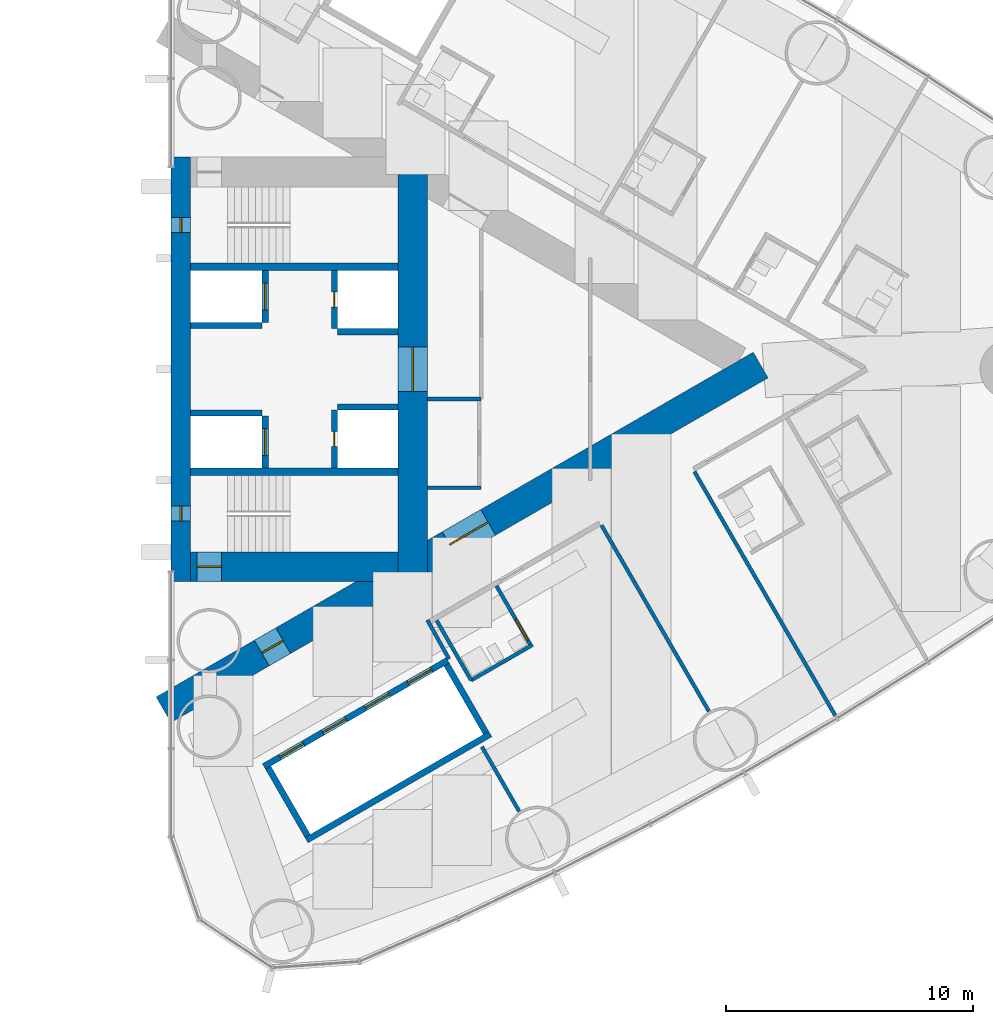
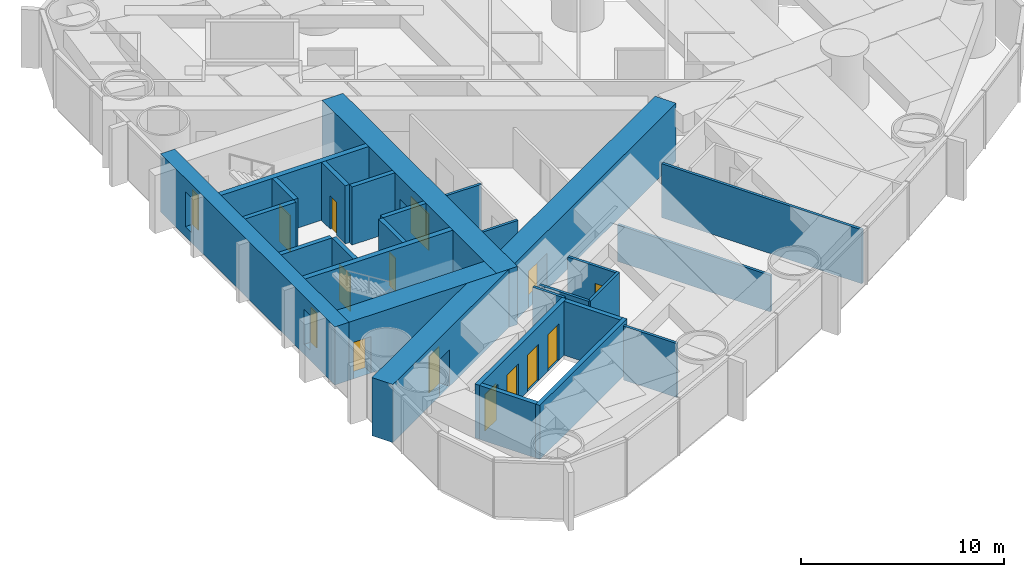
# One storey, part 13 of 18: 27 walls, 13 doors, 2 windows, 15 openings.
"""IFC4 building model written with IfcOpenShell, lengths in metres."""

import ifcopenshell
import ifcopenshell.guid

model = None  # the IFC model being written
_history = None  # IfcOwnerHistory: only IFC2X3 demands one
_inside = {}  # id of a spatial element -> (the spatial element, [elements in it])
_under = {}  # id of a project, library or spatial element -> (it, [spatial elements below it])
_declared = {}  # id of a project -> (the project, [libraries it declares])
_typed = {}  # id of a type object -> (the type object, [elements of that type])
_made_of = {}  # id of a material, layer set ... -> (it, [elements and type objects made of it])


def new_model(schema):
    """Start an empty IFC model of exactly this schema.

    Asked for "IFC4X3", IfcOpenShell would pick the latest addendum, in which some entities
    have other attributes; the version numbers below select the first issue.
    IFC2X3 requires an IfcOwnerHistory on every rooted entity: one is made here for all.
    """
    global model, _history
    if schema == "IFC4X3":
        model = ifcopenshell.file(schema_version=(4, 3, 0, 0))
    else:
        model = ifcopenshell.file(schema=schema)
    _inside.clear()
    _under.clear()
    _declared.clear()
    _typed.clear()
    _made_of.clear()
    _history = None
    if model.schema == "IFC2X3":
        org = make("IfcOrganization", Name="unknown")
        user = make(
            "IfcPersonAndOrganization",
            ThePerson=make("IfcPerson", FamilyName="unknown"),
            TheOrganization=org,
        )
        app = make(
            "IfcApplication",
            ApplicationDeveloper=org,
            Version="unknown",
            ApplicationFullName="unknown",
            ApplicationIdentifier="unknown",
        )
        _history = make(
            "IfcOwnerHistory",
            OwningUser=user,
            OwningApplication=app,
            ChangeAction="ADDED",
            CreationDate=0,
        )
    return model


def make(cls, **values):
    """One entity of the class cls with the attributes given. An attribute that is None is left unset."""
    return model.create_entity(
        cls, **{name: value for name, value in values.items() if value is not None}
    )


def rooted(cls, **values):
    """An entity with a GlobalId (a new one), such as an element, a storey or a relation."""
    return make(cls, GlobalId=ifcopenshell.guid.new(), OwnerHistory=_history, **values)


def si_unit(unit_type, name, prefix=None):
    """IfcSIUnit, for example si_unit("LENGTHUNIT", "METRE", prefix="MILLI")."""
    return make("IfcSIUnit", UnitType=unit_type, Prefix=prefix, Name=name)


def assignment(units):
    """IfcUnitAssignment: the units of a project."""
    return None if units is None else make("IfcUnitAssignment", Units=units)


def point(xyz):
    """IfcCartesianPoint."""
    return None if xyz is None else make("IfcCartesianPoint", Coordinates=xyz)


def direction(xyz):
    """IfcDirection."""
    return None if xyz is None else make("IfcDirection", DirectionRatios=xyz)


def frame(location, z_axis=None, x_axis=None):
    """IfcAxis2Placement3D, a coordinate frame: its origin and axes. An axis left out is left unset."""
    return make(
        "IfcAxis2Placement3D",
        Location=point(location),
        Axis=direction(z_axis),
        RefDirection=direction(x_axis),
    )


def frame_2d(location, x_axis=None):
    """IfcAxis2Placement2D, a coordinate frame in the plane: its origin and x axis."""
    return make(
        "IfcAxis2Placement2D", Location=point(location), RefDirection=direction(x_axis)
    )


def origin():
    """The frame at (0, 0, 0) with its axes left unset."""
    return frame((0.0, 0.0, 0.0))


def place(relative_to, where):
    """IfcLocalPlacement: puts the frame where relative to a parent placement (None: the world)."""
    return make(
        "IfcLocalPlacement", PlacementRelTo=relative_to, RelativePlacement=where
    )


def context(
    kind, dimensions, precision=None, world=None, true_north=None, identifier=None
):
    """IfcGeometricRepresentationContext, for example the 3D "Model" context."""
    return make(
        "IfcGeometricRepresentationContext",
        ContextIdentifier=identifier,
        ContextType=kind,
        CoordinateSpaceDimension=dimensions,
        Precision=precision,
        WorldCoordinateSystem=world,
        TrueNorth=true_north,
    )


def subcontext(parent, identifier, kind, view, scale=None):
    """IfcGeometricRepresentationSubContext, for example "Body" below "Model"."""
    return make(
        "IfcGeometricRepresentationSubContext",
        ContextIdentifier=identifier,
        ContextType=kind,
        ParentContext=parent,
        TargetScale=scale,
        TargetView=view,
    )


def project(units=None, contexts=None):
    """IfcProject with its units and contexts."""
    return rooted(
        "IfcProject",
        Name="project",
        RepresentationContexts=contexts,
        UnitsInContext=assignment(units),
    )


def spatial(cls, under=None, at=None, **own):
    """A site, building, storey or space (cls), placed at a placement, below another one or the project."""
    s = rooted(cls, ObjectPlacement=at, **own)
    if under is not None:
        _under.setdefault(under.id(), (under, []))[1].append(s)
    return s


def profile(cls, at=None, kind="AREA", **sizes):
    """A parametric profile (cls). Its sizes go by their IFC names, for example OverallWidth=200.0."""
    return make(cls, ProfileType=kind, Position=at, **sizes)


def rectangle(**sizes):
    """IfcRectangleProfileDef."""
    return profile("IfcRectangleProfileDef", **sizes)


def extrude(swept, where, along, depth):
    """IfcExtrudedAreaSolid: the profile swept, set in the frame where, extruded along a direction by depth."""
    return make(
        "IfcExtrudedAreaSolid",
        SweptArea=swept,
        Position=where,
        ExtrudedDirection=direction(along),
        Depth=depth,
    )


def shape(context_of_items, identifier, shape_type, items):
    """IfcShapeRepresentation: the items that make up one representation, for example the "Body"."""
    return make(
        "IfcShapeRepresentation",
        ContextOfItems=context_of_items,
        RepresentationIdentifier=identifier,
        RepresentationType=shape_type,
        Items=items,
    )


def material(Name=None, Category=None):
    """IfcMaterial."""
    return make("IfcMaterial", Name=Name, Category=Category)


def layer(
    of_material, thickness, ventilated=None, Name=None, Category=None, Priority=None
):
    """IfcMaterialLayer: one layer of a wall or slab, of a material (None: an air gap)."""
    return make(
        "IfcMaterialLayer",
        Material=of_material,
        LayerThickness=thickness,
        IsVentilated=ventilated,
        Name=Name,
        Category=Category,
        Priority=Priority,
    )


def layer_set(layers, Name=None):
    """IfcMaterialLayerSet."""
    return make("IfcMaterialLayerSet", MaterialLayers=layers, LayerSetName=Name)


def made_of(thing, what):
    """Note that an element or type object is made of a material, layer set ...; save() writes the relation."""
    if what is not None:
        _made_of.setdefault(what.id(), (what, []))[1].append(thing)
    return thing


def type_object(cls, material=None, **own):
    """A type object (cls), such as IfcWallType, which elements share."""
    return made_of(rooted(cls, **own), material)


def element(
    cls,
    number,
    at=None,
    inside=None,
    cuts=None,
    type_object=None,
    material=None,
    context=None,
    identifier="Body",
    shape_type=None,
    held_by="IfcProductDefinitionShape",
    body=None,
    shapes=None,
    **own,
):
    """One element of the class cls, such as IfcWall. Its Tag is "e" and its number.

    at: its placement. inside: the storey or other place that contains it. cuts: it is an
    opening in that element (IfcRelVoidsElement). A single representation is given by context,
    identifier, shape_type and body (its items); several are given by shapes. held_by: the class
    of the entity that holds the representations. save() writes the other relations.
    """
    e = rooted(cls, Tag="e%d" % number, ObjectPlacement=at, **own)
    if body is not None:
        shapes = [shape(context, identifier, shape_type, body)]
    if shapes is not None:
        e.Representation = make(held_by, Representations=shapes)
    if inside is not None:
        _inside.setdefault(inside.id(), (inside, []))[1].append(e)
    if cuts is not None:
        rooted(
            "IfcRelVoidsElement", RelatingBuildingElement=cuts, RelatedOpeningElement=e
        )
    if type_object is not None:
        _typed.setdefault(type_object.id(), (type_object, []))[1].append(e)
    return made_of(e, material)


def fill(opening, filler):
    """IfcRelFillsElement: the door or window that sits in an opening."""
    return rooted(
        "IfcRelFillsElement",
        RelatingOpeningElement=opening,
        RelatedBuildingElement=filler,
    )


def aggregate(whole, parts):
    """IfcRelAggregates: a whole, such as a stair, and the parts it consists of."""
    return rooted("IfcRelAggregates", RelatingObject=whole, RelatedObjects=parts)


def save(model, path):
    """Write the relations noted so far, then the file.

    IfcRelAggregates (storeys below a building ...), IfcRelContainedInSpatialStructure (elements
    in a storey), IfcRelDefinesByType, IfcRelAssociatesMaterial and IfcRelDeclares: one each for
    every whole, place, type object, material and project.
    """
    for whole, parts in _under.values():
        aggregate(whole, parts)
    for where, things in _inside.values():
        rooted(
            "IfcRelContainedInSpatialStructure",
            RelatedElements=things,
            RelatingStructure=where,
        )
    for kind, things in _typed.values():
        rooted("IfcRelDefinesByType", RelatedObjects=things, RelatingType=kind)
    for what, things in _made_of.values():
        rooted("IfcRelAssociatesMaterial", RelatedObjects=things, RelatingMaterial=what)
    for by, libraries in _declared.values():
        rooted("IfcRelDeclares", RelatingContext=by, RelatedDefinitions=libraries)
    model.write(path)


model = new_model("IFC4")

# Units and contexts
model_context = context("Model", 3, precision=1e-05, world=origin(), true_north=direction((0.0, 1.0)))
body_context = subcontext(model_context, "Body", "Model", "MODEL_VIEW")
ifc_project = project(units=[si_unit("LENGTHUNIT", "METRE"), si_unit("AREAUNIT", "SQUARE_METRE"), si_unit("VOLUMEUNIT", "CUBIC_METRE"), si_unit("PLANEANGLEUNIT", "RADIAN"), si_unit("MASSUNIT", "GRAM", prefix="KILO")], contexts=[model_context])

# Site, building, storey
site_placement = place(None, origin())
site = spatial("IfcSite", under=ifc_project, at=site_placement, CompositionType="ELEMENT")
building_placement = place(site_placement, origin())
building = spatial("IfcBuilding", under=site, at=building_placement, Name="Lancet Gate Hotel", CompositionType="ELEMENT")
storey_placement = place(building_placement, frame((0.0, 0.0, 101.10009765625)))
storey = spatial("IfcBuildingStorey", under=building, at=storey_placement, Name="L26", CompositionType="ELEMENT", Elevation=101.10009765625)

# Wall
ifc_material_1 = material(Name="Moisture resistant board partition")
ifc_layer_1 = layer(ifc_material_1, 0.14990234375)
ifc_layer_set_1 = layer_set([ifc_layer_1], Name="Bathroom wall 150")
wall_type_1 = type_object("IfcWallType", Name="Bathroom wall 150", PredefinedType="PARTITIONING", material=ifc_layer_set_1)
wall_1_placement = place(storey_placement, frame((39.669921875, -12.60498046875, 0.0), z_axis=(0.0, 0.0, 1.0), x_axis=(0.866018712932, 0.500011588718, 0.0)))
element("IfcWall", 1, at=wall_1_placement, inside=storey, type_object=wall_type_1, Name="T2 bathroom wall 150 L26", PredefinedType="PARTITIONING", context=body_context, shape_type="SweptSolid", body=[
    extrude(rectangle(XDim=2.875, YDim=0.14990234375, at=frame_2d((1.4375, 0.0))), origin(), (0.0, 0.0, 1.0), 3.25),
])

# Wall, opening, door
wall_2_placement = place(storey_placement, frame((40.694580078125, -8.780029296875, 0.0), z_axis=(0.0, 0.0, 1.0), x_axis=(0.500049511043, -0.865996816683, 0.0)))
wall_2 = element("IfcWall", 2, at=wall_2_placement, inside=storey, type_object=wall_type_1, Name="T2 bathroom wall 150 L26", PredefinedType="PARTITIONING", context=body_context, shape_type="SweptSolid", body=[
    extrude(rectangle(XDim=2.800048828125, YDim=0.14990234375, at=frame_2d((1.39990234375, 0.0))), origin(), (0.0, 0.0, 1.0), 3.25),
])
opening_1_placement = place(wall_2_placement, frame((1.550048828125, 0.0, 0.0)))
opening_1 = element("IfcOpeningElement", 3, at=opening_1_placement, cuts=wall_2, Name="Opening 2653-B", PredefinedType="OPENING", context=body_context, shape_type="SweptSolid", body=[
    extrude(rectangle(XDim=1.0, YDim=2.199951171875, at=frame_2d((0.5, 1.10009765625))), frame((0.0, 0.0849609375, 0.0), z_axis=(0.0, -1.0, 0.0), x_axis=(1.0, 0.0, 0.0)), (0.0, 0.0, 1.0), 0.169921875),
])
ifc_material_2 = material(Name="Timber door set", Category="wood")
door_type_1 = type_object("IfcDoorType", Name="Accessible en-suite door 1000", OperationType="SINGLE_SWING_RIGHT", PredefinedType="DOOR", material=ifc_material_2)
door_1_placement = place(opening_1_placement, origin())
door_1 = element("IfcDoor", 4, at=door_1_placement, inside=storey, type_object=door_type_1, Name="2653-B", OperationType="SINGLE_SWING_RIGHT", OverallHeight=2.199951171875, OverallWidth=1.0, PredefinedType="DOOR", context=body_context, shape_type="SweptSolid", body=[
    extrude(rectangle(XDim=1.0, YDim=2.199951171875, at=frame_2d((0.5, 1.10009765625))), frame((0.0, 0.02490234375, 0.0), z_axis=(0.0, -1.0, 0.0), x_axis=(1.0, 0.0, 0.0)), (0.0, 0.0, 1.0), 0.050048828125),
])
fill(opening_1, door_1)

# Wall
wall_3_placement = place(storey_placement, frame((38.269775390625, -10.18017578125, 0.0), z_axis=(0.0, 0.0, 1.0), x_axis=(0.500049511043, -0.865996816683, 0.0)))
element("IfcWall", 5, at=wall_3_placement, inside=storey, type_object=wall_type_1, Name="T2 bathroom wall 150 L26", PredefinedType="PARTITIONING", context=body_context, shape_type="SweptSolid", body=[
    extrude(rectangle(XDim=2.800048828125, YDim=0.14990234375, at=frame_2d((1.39990234375, 0.0))), origin(), (0.0, 0.0, 1.0), 3.25),
])

# Wall, openings, doors
ifc_material_3 = material(Name="Concrete C70/85", Category="concrete")
ifc_layer_2 = layer(ifc_material_3, 1.199951171875)
ifc_layer_set_2 = layer_set([ifc_layer_2], Name="Buttress wall 1200")
wall_type_2 = type_object("IfcWallType", Name="Buttress wall 1200", PredefinedType="SHEAR", material=ifc_layer_set_2)
wall_4_placement = place(storey_placement, frame((27.199951171875, -13.800048828125, 0.0), z_axis=(0.0, 0.0, 1.0), x_axis=(0.866027159892, 0.499996958321, 0.0)))
wall_4 = element("IfcWall", 6, at=wall_4_placement, inside=storey, type_object=wall_type_2, Name="T2 buttress wall S L26", PredefinedType="SHEAR", context=body_context, shape_type="SweptSolid", body=[
    extrude(rectangle(XDim=27.946533203125, YDim=1.199951171875, at=frame_2d((13.97314453125, 0.0))), origin(), (0.0, 0.0, 1.0), 3.5),
])
opening_2_placement = place(wall_4_placement, frame((4.60009765625, 0.0, 0.0)))
opening_2 = element("IfcOpeningElement", 7, at=opening_2_placement, cuts=wall_4, Name="Opening T2-L26-LS", PredefinedType="OPENING", context=body_context, shape_type="SweptSolid", body=[
    extrude(rectangle(XDim=1.0, YDim=2.199951171875, at=frame_2d((0.5, 1.10009765625))), frame((0.0, 0.60986328125, 0.0), z_axis=(0.0, -1.0, 0.0), x_axis=(1.0, 0.0, 0.0)), (0.0, 0.0, 1.0), 1.219970703125),
])
opening_3_placement = place(wall_4_placement, frame((13.39453125, 0.0, 0.0)))
opening_3 = element("IfcOpeningElement", 8, at=opening_3_placement, cuts=wall_4, Name="Opening T2-L26-LHS", PredefinedType="OPENING", context=body_context, shape_type="SweptSolid", body=[
    extrude(rectangle(XDim=1.800048828125, YDim=2.199951171875, at=frame_2d((0.89990234375, 1.10009765625))), frame((0.0, 0.60986328125, 0.0), z_axis=(0.0, -1.0, 0.0), x_axis=(1.0, 0.0, 0.0)), (0.0, 0.0, 1.0), 1.219970703125),
])
ifc_material_4 = material(Name="Timber door set", Category="wood")
door_type_2 = type_object("IfcDoorType", Name="Lobby double door 1800", OperationType="DOUBLE_DOOR_SINGLE_SWING", PredefinedType="DOOR", material=ifc_material_4)
door_2_placement = place(opening_3_placement, origin())
door_2 = element("IfcDoor", 9, at=door_2_placement, inside=storey, type_object=door_type_2, Name="T2-L26-LHS", OperationType="DOUBLE_DOOR_SINGLE_SWING", OverallHeight=2.199951171875, OverallWidth=1.800048828125, PredefinedType="DOOR", context=body_context, shape_type="SweptSolid", body=[
    extrude(rectangle(XDim=1.800048828125, YDim=2.199951171875, at=frame_2d((0.89990234375, 1.10009765625))), frame((0.0, 0.02490234375, 0.0), z_axis=(0.0, -1.0, 0.0), x_axis=(1.0, 0.0, 0.0)), (0.0, 0.0, 1.0), 0.050048828125),
])
fill(opening_3, door_2)
ifc_material_5 = material(Name="Timber door set", Category="wood")
door_type_3 = type_object("IfcDoorType", Name="Stair lobby door 1000", OperationType="SINGLE_SWING_LEFT", PredefinedType="DOOR", material=ifc_material_5)
door_3_placement = place(opening_2_placement, origin())
door_3 = element("IfcDoor", 10, at=door_3_placement, inside=storey, type_object=door_type_3, Name="T2-L26-LS", OperationType="SINGLE_SWING_LEFT", OverallHeight=2.199951171875, OverallWidth=1.0, PredefinedType="DOOR", context=body_context, shape_type="SweptSolid", body=[
    extrude(rectangle(XDim=1.0, YDim=2.199951171875, at=frame_2d((0.5, 1.10009765625))), frame((0.0, 0.02490234375, 0.0), z_axis=(0.0, -1.0, 0.0), x_axis=(1.0, 0.0, 0.0)), (0.0, 0.0, 1.0), 0.050048828125),
])
fill(opening_2, door_3)

# Wall, opening, door
ifc_material_6 = material(Name="Concrete C70/85", Category="concrete")
ifc_layer_3 = layer(ifc_material_6, 1.199951171875)
ifc_layer_set_3 = layer_set([ifc_layer_3], Name="Core wall 1200")
wall_type_3 = type_object("IfcWallType", Name="Core wall 1200", PredefinedType="SHEAR", material=ifc_layer_set_3)
wall_5_placement = place(storey_placement, frame((37.300048828125, -8.60009765625, 0.0), z_axis=(0.0, 0.0, 1.0), x_axis=(0.0, 1.0, 0.0)))
wall_5 = element("IfcWall", 11, at=wall_5_placement, inside=storey, type_object=wall_type_3, Name="T2 core wall back L26", PredefinedType="SHEAR", context=body_context, shape_type="SweptSolid", body=[
    extrude(rectangle(XDim=17.2001953125, YDim=1.199951171875, at=frame_2d((8.60009765625, 0.0))), origin(), (0.0, 0.0, 1.0), 3.5),
])
opening_4_placement = place(wall_5_placement, frame((7.699951171875, 0.0, 0.0)))
opening_4 = element("IfcOpeningElement", 12, at=opening_4_placement, cuts=wall_5, Name="Opening T2-L26-LL", PredefinedType="OPENING", context=body_context, shape_type="SweptSolid", body=[
    extrude(rectangle(XDim=1.800048828125, YDim=2.199951171875, at=frame_2d((0.89990234375, 1.10009765625))), frame((0.0, 0.60986328125, 0.0), z_axis=(0.0, -1.0, 0.0), x_axis=(1.0, 0.0, 0.0)), (0.0, 0.0, 1.0), 1.219970703125),
])
door_4_placement = place(opening_4_placement, origin())
door_4 = element("IfcDoor", 13, at=door_4_placement, inside=storey, type_object=door_type_2, Name="T2-L26-LL", OperationType="DOUBLE_DOOR_SINGLE_SWING", OverallHeight=2.199951171875, OverallWidth=1.800048828125, PredefinedType="DOOR", context=body_context, shape_type="SweptSolid", body=[
    extrude(rectangle(XDim=1.800048828125, YDim=2.199951171875, at=frame_2d((0.89990234375, 1.10009765625))), frame((0.0, 0.02490234375, 0.0), z_axis=(0.0, -1.0, 0.0), x_axis=(1.0, 0.0, 0.0)), (0.0, 0.0, 1.0), 0.050048828125),
])
fill(opening_4, door_4)

wall_6_placement = place(storey_placement, frame((28.300048828125, -8.0, 0.0), z_axis=(0.0, 0.0, 1.0), x_axis=(1.0, 0.0, 0.0)))
wall_6 = element("IfcWall", 14, at=wall_6_placement, inside=storey, type_object=wall_type_3, Name="T2 core wall side-S L26", PredefinedType="SHEAR", context=body_context, shape_type="SweptSolid", body=[
    extrude(rectangle(XDim=8.39990234375, YDim=1.199951171875, at=frame_2d((4.199951171875, 0.0))), origin(), (0.0, 0.0, 1.0), 3.5),
])
opening_5_placement = place(wall_6_placement, frame((0.25, 0.0, 0.0)))
opening_5 = element("IfcOpeningElement", 15, at=opening_5_placement, cuts=wall_6, Name="Opening T2-L26-ST1", PredefinedType="OPENING", context=body_context, shape_type="SweptSolid", body=[
    extrude(rectangle(XDim=1.0, YDim=2.199951171875, at=frame_2d((0.5, 1.10009765625))), frame((0.0, 0.60986328125, 0.0), z_axis=(0.0, -1.0, 0.0), x_axis=(1.0, 0.0, 0.0)), (0.0, 0.0, 1.0), 1.219970703125),
])
ifc_material_7 = material(Name="Timber door set", Category="wood")
door_type_4 = type_object("IfcDoorType", Name="Stair door 1000", OperationType="SINGLE_SWING_RIGHT", PredefinedType="DOOR", material=ifc_material_7)
door_5_placement = place(opening_5_placement, origin())
door_5 = element("IfcDoor", 16, at=door_5_placement, inside=storey, type_object=door_type_4, Name="T2-L26-ST1", OperationType="SINGLE_SWING_RIGHT", OverallHeight=2.199951171875, OverallWidth=1.0, PredefinedType="DOOR", context=body_context, shape_type="SweptSolid", body=[
    extrude(rectangle(XDim=1.0, YDim=2.199951171875, at=frame_2d((0.5, 1.10009765625))), frame((0.0, 0.02490234375, 0.0), z_axis=(0.0, -1.0, 0.0), x_axis=(1.0, 0.0, 0.0)), (0.0, 0.0, 1.0), 0.050048828125),
])
fill(opening_5, door_5)

# Wall, openings, windows
ifc_material_8 = material(Name="Concrete C70/85", Category="concrete")
ifc_layer_4 = layer(ifc_material_8, 0.800048828125)
ifc_layer_set_4 = layer_set([ifc_layer_4], Name="Core wall 800")
wall_type_4 = type_object("IfcWallType", Name="Core wall 800", PredefinedType="SHEAR", material=ifc_layer_set_4)
wall_7_placement = place(storey_placement, frame((27.89990234375, -8.60009765625, 0.0), z_axis=(0.0, 0.0, 1.0), x_axis=(0.0, 1.0, 0.0)))
wall_7 = element("IfcWall", 17, at=wall_7_placement, inside=storey, type_object=wall_type_4, Name="T2 core wall front L26", PredefinedType="SHEAR", context=body_context, shape_type="SweptSolid", body=[
    extrude(rectangle(XDim=17.2001953125, YDim=0.800048828125, at=frame_2d((8.60009765625, 0.0))), origin(), (0.0, 0.0, 1.0), 3.5),
])
opening_6_placement = place(wall_7_placement, frame((2.449951171875, 0.0, 0.60009765625)))
opening_6 = element("IfcOpeningElement", 18, at=opening_6_placement, cuts=wall_7, Name="Opening LW1", PredefinedType="OPENING", context=body_context, shape_type="SweptSolid", body=[
    extrude(rectangle(XDim=0.60009765625, YDim=2.10009765625, at=frame_2d((0.300048828125, 1.050048828125))), frame((0.0, 0.409912109375, 0.0), z_axis=(0.0, -1.0, 0.0), x_axis=(1.0, 0.0, 0.0)), (0.0, 0.0, 1.0), 0.820068359375),
])
opening_7_placement = place(wall_7_placement, frame((14.14990234375, 0.0, 0.60009765625)))
opening_7 = element("IfcOpeningElement", 19, at=opening_7_placement, cuts=wall_7, Name="Opening LW1", PredefinedType="OPENING", context=body_context, shape_type="SweptSolid", body=[
    extrude(rectangle(XDim=0.60009765625, YDim=2.10009765625, at=frame_2d((0.300048828125, 1.050048828125))), frame((0.0, 0.409912109375, 0.0), z_axis=(0.0, -1.0, 0.0), x_axis=(1.0, 0.0, 0.0)), (0.0, 0.0, 1.0), 0.820068359375),
])
ifc_material_9 = material(Name="Fire-resisting glazed steel window", Category="steel")
window_type = type_object("IfcWindowType", Name="Lancet window 600x2100", PartitioningType="SINGLE_PANEL", PredefinedType="WINDOW", material=ifc_material_9)
window_1_placement = place(opening_6_placement, origin())
window_1 = element("IfcWindow", 20, at=window_1_placement, inside=storey, type_object=window_type, Name="T2 stair window S L26", OverallHeight=2.10009765625, OverallWidth=0.60009765625, PartitioningType="SINGLE_PANEL", PredefinedType="WINDOW", context=body_context, shape_type="SweptSolid", body=[
    extrude(rectangle(XDim=0.60009765625, YDim=2.10009765625, at=frame_2d((0.300048828125, 1.050048828125))), frame((0.0, 0.030029296875, 0.0), z_axis=(0.0, -1.0, 0.0), x_axis=(1.0, 0.0, 0.0)), (0.0, 0.0, 1.0), 0.06005859375),
])
fill(opening_6, window_1)
window_2_placement = place(opening_7_placement, origin())
window_2 = element("IfcWindow", 21, at=window_2_placement, inside=storey, type_object=window_type, Name="T2 stair window N L26", OverallHeight=2.10009765625, OverallWidth=0.60009765625, PartitioningType="SINGLE_PANEL", PredefinedType="WINDOW", context=body_context, shape_type="SweptSolid", body=[
    extrude(rectangle(XDim=0.60009765625, YDim=2.10009765625, at=frame_2d((0.300048828125, 1.050048828125))), frame((0.0, 0.030029296875, 0.0), z_axis=(0.0, -1.0, 0.0), x_axis=(1.0, 0.0, 0.0)), (0.0, 0.0, 1.0), 0.06005859375),
])
fill(opening_7, window_2)

# Wall, openings, doors
ifc_material_10 = material(Name="Gypsum board partition")
ifc_layer_5 = layer(ifc_material_10, 0.25)
ifc_layer_set_5 = layer_set([ifc_layer_5], Name="Lift shaft partition 250")
wall_type_5 = type_object("IfcWallType", Name="Lift shaft partition 250", PredefinedType="PARTITIONING", material=ifc_layer_set_5)
wall_8_placement = place(storey_placement, frame((31.2705078125, -16.09716796875, 0.0), z_axis=(0.0, 0.0, 1.0), x_axis=(0.86604045752, 0.499973925258, 0.0)))
wall_8 = element("IfcWall", 22, at=wall_8_placement, inside=storey, type_object=wall_type_5, Name="T2 lift shaft wall LR L26", PredefinedType="PARTITIONING", context=body_context, shape_type="SweptSolid", body=[
    extrude(rectangle(XDim=8.60009765625, YDim=0.25, at=frame_2d((4.300048828125, 0.0))), origin(), (0.0, 0.0, 1.0), 3.25),
])
opening_8_placement = place(wall_8_placement, frame((0.75, 0.0, 0.0)))
opening_8 = element("IfcOpeningElement", 23, at=opening_8_placement, cuts=wall_8, Name="Opening T2-LR1-L26", PredefinedType="OPENING", context=body_context, shape_type="SweptSolid", body=[
    extrude(rectangle(XDim=1.10009765625, YDim=2.199951171875, at=frame_2d((0.550048828125, 1.10009765625))), frame((0.0, 0.135009765625, 0.0), z_axis=(0.0, -1.0, 0.0), x_axis=(1.0, 0.0, 0.0)), (0.0, 0.0, 1.0), 0.27001953125),
])
opening_9_placement = place(wall_8_placement, frame((2.75, 0.0, 0.0)))
opening_9 = element("IfcOpeningElement", 24, at=opening_9_placement, cuts=wall_8, Name="Opening T2-LR2-L26", PredefinedType="OPENING", context=body_context, shape_type="SweptSolid", body=[
    extrude(rectangle(XDim=1.10009765625, YDim=2.199951171875, at=frame_2d((0.550048828125, 1.10009765625))), frame((0.0, 0.135009765625, 0.0), z_axis=(0.0, -1.0, 0.0), x_axis=(1.0, 0.0, 0.0)), (0.0, 0.0, 1.0), 0.27001953125),
])
opening_10_placement = place(wall_8_placement, frame((4.75, 0.0, 0.0)))
opening_10 = element("IfcOpeningElement", 25, at=opening_10_placement, cuts=wall_8, Name="Opening T2-LR3-L26", PredefinedType="OPENING", context=body_context, shape_type="SweptSolid", body=[
    extrude(rectangle(XDim=1.10009765625, YDim=2.199951171875, at=frame_2d((0.550048828125, 1.10009765625))), frame((0.0, 0.135009765625, 0.0), z_axis=(0.0, -1.0, 0.0), x_axis=(1.0, 0.0, 0.0)), (0.0, 0.0, 1.0), 0.27001953125),
])
opening_11_placement = place(wall_8_placement, frame((6.75, 0.0, 0.0)))
opening_11 = element("IfcOpeningElement", 26, at=opening_11_placement, cuts=wall_8, Name="Opening T2-LR4-L26", PredefinedType="OPENING", context=body_context, shape_type="SweptSolid", body=[
    extrude(rectangle(XDim=1.10009765625, YDim=2.199951171875, at=frame_2d((0.550048828125, 1.10009765625))), frame((0.0, 0.135009765625, 0.0), z_axis=(0.0, -1.0, 0.0), x_axis=(1.0, 0.0, 0.0)), (0.0, 0.0, 1.0), 0.27001953125),
])
ifc_material_11 = material(Name="Steel door set", Category="steel")
door_type_5 = type_object("IfcDoorType", Name="Lift landing door 1100", OperationType="DOUBLE_DOOR_SLIDING", PredefinedType="USERDEFINED", material=ifc_material_11)
door_6_placement = place(opening_8_placement, origin())
door_6 = element("IfcDoor", 27, at=door_6_placement, inside=storey, type_object=door_type_5, Name="T2-LR1-L26", ObjectType="LIFT LANDING DOOR", OperationType="DOUBLE_DOOR_SLIDING", OverallHeight=2.199951171875, OverallWidth=1.10009765625, PredefinedType="USERDEFINED", context=body_context, shape_type="SweptSolid", body=[
    extrude(rectangle(XDim=1.10009765625, YDim=2.199951171875, at=frame_2d((0.550048828125, 1.10009765625))), frame((0.0, 0.02490234375, 0.0), z_axis=(0.0, -1.0, 0.0), x_axis=(1.0, 0.0, 0.0)), (0.0, 0.0, 1.0), 0.050048828125),
])
fill(opening_8, door_6)
door_7_placement = place(opening_9_placement, origin())
door_7 = element("IfcDoor", 28, at=door_7_placement, inside=storey, type_object=door_type_5, Name="T2-LR2-L26", ObjectType="LIFT LANDING DOOR", OperationType="DOUBLE_DOOR_SLIDING", OverallHeight=2.199951171875, OverallWidth=1.10009765625, PredefinedType="USERDEFINED", context=body_context, shape_type="SweptSolid", body=[
    extrude(rectangle(XDim=1.10009765625, YDim=2.199951171875, at=frame_2d((0.550048828125, 1.10009765625))), frame((0.0, 0.02490234375, 0.0), z_axis=(0.0, -1.0, 0.0), x_axis=(1.0, 0.0, 0.0)), (0.0, 0.0, 1.0), 0.050048828125),
])
fill(opening_9, door_7)
door_8_placement = place(opening_10_placement, origin())
door_8 = element("IfcDoor", 29, at=door_8_placement, inside=storey, type_object=door_type_5, Name="T2-LR3-L26", ObjectType="LIFT LANDING DOOR", OperationType="DOUBLE_DOOR_SLIDING", OverallHeight=2.199951171875, OverallWidth=1.10009765625, PredefinedType="USERDEFINED", context=body_context, shape_type="SweptSolid", body=[
    extrude(rectangle(XDim=1.10009765625, YDim=2.199951171875, at=frame_2d((0.550048828125, 1.10009765625))), frame((0.0, 0.02490234375, 0.0), z_axis=(0.0, -1.0, 0.0), x_axis=(1.0, 0.0, 0.0)), (0.0, 0.0, 1.0), 0.050048828125),
])
fill(opening_10, door_8)
door_9_placement = place(opening_11_placement, origin())
door_9 = element("IfcDoor", 30, at=door_9_placement, inside=storey, type_object=door_type_5, Name="T2-LR4-L26", ObjectType="LIFT LANDING DOOR", OperationType="DOUBLE_DOOR_SLIDING", OverallHeight=2.199951171875, OverallWidth=1.10009765625, PredefinedType="USERDEFINED", context=body_context, shape_type="SweptSolid", body=[
    extrude(rectangle(XDim=1.10009765625, YDim=2.199951171875, at=frame_2d((0.550048828125, 1.10009765625))), frame((0.0, 0.02490234375, 0.0), z_axis=(0.0, -1.0, 0.0), x_axis=(1.0, 0.0, 0.0)), (0.0, 0.0, 1.0), 0.050048828125),
])
fill(opening_11, door_9)

# Walls
wall_9_placement = place(storey_placement, frame((32.99560546875, -19.085693359375, 0.0), z_axis=(0.0, 0.0, 1.0), x_axis=(0.866028165386, 0.499995216735, 0.0)))
element("IfcWall", 31, at=wall_9_placement, inside=storey, type_object=wall_type_5, Name="T2 lift shaft wall LR L26", PredefinedType="PARTITIONING", context=body_context, shape_type="SweptSolid", body=[
    extrude(rectangle(XDim=8.60009765625, YDim=0.25, at=frame_2d((4.300048828125, 0.0))), origin(), (0.0, 0.0, 1.0), 3.25),
])
for number, where, z_axis, x_axis, name in (
    (32, (31.441162109375, -16.14306640625, 0.0), (0.0, 0.0, 1.0), (0.499929347863, -0.866066190972, 0.0), "T2 lift shaft wall LR L26"),
    (33, (38.672607421875, -11.968017578125, 0.0), (0.0, 0.0, 1.0), (0.499929347863, -0.866066190972, 0.0), "T2 lift shaft wall LR L26"),
):
    element("IfcWall", number, at=place(storey_placement, frame(where, z_axis=z_axis, x_axis=x_axis)), inside=storey, type_object=wall_type_5, Name=name, PredefinedType="PARTITIONING", context=body_context, shape_type="SweptSolid", body=[
        extrude(rectangle(XDim=3.20068359375, YDim=0.25, at=frame_2d((1.600341796875, 0.0))), origin(), (0.0, 0.0, 1.0), 3.25),
    ])

# Wall, opening, door
ifc_material_12 = material(Name="Concrete C50/60", Category="concrete")
ifc_layer_6 = layer(ifc_material_12, 0.25)
ifc_layer_set_6 = layer_set([ifc_layer_6], Name="Lift shaft wall 250")
wall_type_6 = type_object("IfcWallType", Name="Lift shaft wall 250", PredefinedType="SHEAR", material=ifc_layer_set_6)
wall_10_placement = place(storey_placement, frame((31.324951171875, -4.0, 0.0), z_axis=(0.0, 0.0, 1.0), x_axis=(0.0, 1.0, 0.0)))
wall_10 = element("IfcWall", 34, at=wall_10_placement, inside=storey, type_object=wall_type_6, Name="T2 core wall row1-S L26", PredefinedType="SHEAR", context=body_context, shape_type="SweptSolid", body=[
    extrude(rectangle(XDim=2.10009765625, YDim=0.25, at=frame_2d((1.050048828125, 0.0))), origin(), (0.0, 0.0, 1.0), 3.5),
])
opening_12_placement = place(wall_10_placement, frame((0.5, 0.0, 0.0)))
opening_12 = element("IfcOpeningElement", 35, at=opening_12_placement, cuts=wall_10, Name="Opening T2-SL1-L26", PredefinedType="OPENING", context=body_context, shape_type="SweptSolid", body=[
    extrude(rectangle(XDim=1.10009765625, YDim=2.199951171875, at=frame_2d((0.550048828125, 1.10009765625))), frame((0.0, 0.135009765625, 0.0), z_axis=(0.0, -1.0, 0.0), x_axis=(1.0, 0.0, 0.0)), (0.0, 0.0, 1.0), 0.27001953125),
])
ifc_material_13 = material(Name="Timber door set", Category="wood")
door_type_6 = type_object("IfcDoorType", Name="Service lift landing door 1100", OperationType="SLIDING_TO_LEFT", PredefinedType="USERDEFINED", material=ifc_material_13)
door_10_placement = place(opening_12_placement, origin())
door_10 = element("IfcDoor", 36, at=door_10_placement, inside=storey, type_object=door_type_6, Name="T2-SL1-L26", ObjectType="LIFT LANDING DOOR", OperationType="SLIDING_TO_LEFT", OverallHeight=2.199951171875, OverallWidth=1.10009765625, PredefinedType="USERDEFINED", context=body_context, shape_type="SweptSolid", body=[
    extrude(rectangle(XDim=1.10009765625, YDim=2.199951171875, at=frame_2d((0.550048828125, 1.10009765625))), frame((0.0, 0.02490234375, 0.0), z_axis=(0.0, -1.0, 0.0), x_axis=(1.0, 0.0, 0.0)), (0.0, 0.0, 1.0), 0.050048828125),
])
fill(opening_12, door_10)

wall_11_placement = place(storey_placement, frame((34.125, -4.0, 0.0), z_axis=(0.0, 0.0, 1.0), x_axis=(0.0, 1.0, 0.0)))
wall_11 = element("IfcWall", 37, at=wall_11_placement, inside=storey, type_object=wall_type_6, Name="T2 core wall row2-S L26", PredefinedType="SHEAR", context=body_context, shape_type="SweptSolid", body=[
    extrude(rectangle(XDim=2.35009765625, YDim=0.25, at=frame_2d((1.175048828125, 0.0))), origin(), (0.0, 0.0, 1.0), 3.5),
])
opening_13_placement = place(wall_11_placement, frame((0.875, 0.0, 0.0)))
opening_13 = element("IfcOpeningElement", 38, at=opening_13_placement, cuts=wall_11, Name="Opening T2-OL3-L26-E", PredefinedType="OPENING", context=body_context, shape_type="SweptSolid", body=[
    extrude(rectangle(XDim=0.60009765625, YDim=2.0, at=frame_2d((0.300048828125, 1.0))), frame((0.0, 0.135009765625, 0.0), z_axis=(0.0, -1.0, 0.0), x_axis=(1.0, 0.0, 0.0)), (0.0, 0.0, 1.0), 0.27001953125),
])
ifc_material_14 = material(Name="Steel door set", Category="steel")
door_type_7 = type_object("IfcDoorType", Name="Lift shaft emergency door 600x2000", OperationType="SLIDING_TO_LEFT", PredefinedType="DOOR", material=ifc_material_14)
door_11_placement = place(opening_13_placement, origin())
door_11 = element("IfcDoor", 39, at=door_11_placement, inside=storey, type_object=door_type_7, Name="T2-OL3-L26-E", OperationType="SLIDING_TO_LEFT", OverallHeight=2.0, OverallWidth=0.60009765625, PredefinedType="DOOR", context=body_context, shape_type="SweptSolid", body=[
    extrude(rectangle(XDim=0.60009765625, YDim=2.0, at=frame_2d((0.300048828125, 1.0))), frame((0.0, 0.02490234375, 0.0), z_axis=(0.0, -1.0, 0.0), x_axis=(1.0, 0.0, 0.0)), (0.0, 0.0, 1.0), 0.050048828125),
])
fill(opening_13, door_11)

# Walls
wall_12_placement = place(storey_placement, frame((28.300048828125, -1.77490234375, 0.0), z_axis=(0.0, 0.0, 1.0), x_axis=(1.0, 0.0, 0.0)))
element("IfcWall", 40, at=wall_12_placement, inside=storey, type_object=wall_type_6, Name="T2 core wall pass1-S L26", PredefinedType="SHEAR", context=body_context, shape_type="SweptSolid", body=[
    extrude(rectangle(XDim=2.89990234375, YDim=0.25, at=frame_2d((1.449951171875, 0.0))), origin(), (0.0, 0.0, 1.0), 3.5),
])
wall_13_placement = place(storey_placement, frame((34.25, -1.52490234375, 0.0), z_axis=(0.0, 0.0, 1.0), x_axis=(1.0, 0.0, 0.0)))
element("IfcWall", 41, at=wall_13_placement, inside=storey, type_object=wall_type_6, Name="T2 core wall pass2-S L26", PredefinedType="SHEAR", context=body_context, shape_type="SweptSolid", body=[
    extrude(rectangle(XDim=2.449951171875, YDim=0.25, at=frame_2d((1.22509765625, 0.0))), origin(), (0.0, 0.0, 1.0), 3.5),
])

# Wall, opening, door
wall_14_placement = place(storey_placement, frame((31.324951171875, 1.89990234375, 0.0), z_axis=(0.0, 0.0, 1.0), x_axis=(0.0, 1.0, 0.0)))
wall_14 = element("IfcWall", 42, at=wall_14_placement, inside=storey, type_object=wall_type_6, Name="T2 core wall row1-N L26", PredefinedType="SHEAR", context=body_context, shape_type="SweptSolid", body=[
    extrude(rectangle(XDim=2.10009765625, YDim=0.25, at=frame_2d((1.050048828125, 0.0))), origin(), (0.0, 0.0, 1.0), 3.5),
])
opening_14_placement = place(wall_14_placement, frame((0.5, 0.0, 0.0)))
opening_14 = element("IfcOpeningElement", 43, at=opening_14_placement, cuts=wall_14, Name="Opening T2-FL2-L26", PredefinedType="OPENING", context=body_context, shape_type="SweptSolid", body=[
    extrude(rectangle(XDim=1.10009765625, YDim=2.199951171875, at=frame_2d((0.550048828125, 1.10009765625))), frame((0.0, 0.135009765625, 0.0), z_axis=(0.0, -1.0, 0.0), x_axis=(1.0, 0.0, 0.0)), (0.0, 0.0, 1.0), 0.27001953125),
])
ifc_material_15 = material(Name="Steel door set", Category="steel")
door_type_8 = type_object("IfcDoorType", Name="Firefighting lift landing door 1100", OperationType="SLIDING_TO_LEFT", PredefinedType="USERDEFINED", material=ifc_material_15)
door_12_placement = place(opening_14_placement, origin())
door_12 = element("IfcDoor", 44, at=door_12_placement, inside=storey, type_object=door_type_8, Name="T2-FL2-L26", ObjectType="LIFT LANDING DOOR", OperationType="SLIDING_TO_LEFT", OverallHeight=2.199951171875, OverallWidth=1.10009765625, PredefinedType="USERDEFINED", context=body_context, shape_type="SweptSolid", body=[
    extrude(rectangle(XDim=1.10009765625, YDim=2.199951171875, at=frame_2d((0.550048828125, 1.10009765625))), frame((0.0, 0.02490234375, 0.0), z_axis=(0.0, -1.0, 0.0), x_axis=(1.0, 0.0, 0.0)), (0.0, 0.0, 1.0), 0.050048828125),
])
fill(opening_14, door_12)

wall_15_placement = place(storey_placement, frame((34.125, 1.64990234375, 0.0), z_axis=(0.0, 0.0, 1.0), x_axis=(0.0, 1.0, 0.0)))
wall_15 = element("IfcWall", 45, at=wall_15_placement, inside=storey, type_object=wall_type_6, Name="T2 core wall row2-N L26", PredefinedType="SHEAR", context=body_context, shape_type="SweptSolid", body=[
    extrude(rectangle(XDim=2.35009765625, YDim=0.25, at=frame_2d((1.175048828125, 0.0))), origin(), (0.0, 0.0, 1.0), 3.5),
])
opening_15_placement = place(wall_15_placement, frame((0.875, 0.0, 0.0)))
opening_15 = element("IfcOpeningElement", 46, at=opening_15_placement, cuts=wall_15, Name="Opening T2-OL4-L26-E", PredefinedType="OPENING", context=body_context, shape_type="SweptSolid", body=[
    extrude(rectangle(XDim=0.60009765625, YDim=2.0, at=frame_2d((0.300048828125, 1.0))), frame((0.0, 0.135009765625, 0.0), z_axis=(0.0, -1.0, 0.0), x_axis=(1.0, 0.0, 0.0)), (0.0, 0.0, 1.0), 0.27001953125),
])
door_13_placement = place(opening_15_placement, origin())
door_13 = element("IfcDoor", 47, at=door_13_placement, inside=storey, type_object=door_type_7, Name="T2-OL4-L26-E", OperationType="SLIDING_TO_LEFT", OverallHeight=2.0, OverallWidth=0.60009765625, PredefinedType="DOOR", context=body_context, shape_type="SweptSolid", body=[
    extrude(rectangle(XDim=0.60009765625, YDim=2.0, at=frame_2d((0.300048828125, 1.0))), frame((0.0, 0.02490234375, 0.0), z_axis=(0.0, -1.0, 0.0), x_axis=(1.0, 0.0, 0.0)), (0.0, 0.0, 1.0), 0.050048828125),
])
fill(opening_15, door_13)

# Walls
wall_16_placement = place(storey_placement, frame((28.300048828125, 1.77490234375, 0.0), z_axis=(0.0, 0.0, 1.0), x_axis=(1.0, 0.0, 0.0)))
element("IfcWall", 48, at=wall_16_placement, inside=storey, type_object=wall_type_6, Name="T2 core wall pass1-N L26", PredefinedType="SHEAR", context=body_context, shape_type="SweptSolid", body=[
    extrude(rectangle(XDim=2.89990234375, YDim=0.25, at=frame_2d((1.449951171875, 0.0))), origin(), (0.0, 0.0, 1.0), 3.5),
])
wall_17_placement = place(storey_placement, frame((34.25, 1.52490234375, 0.0), z_axis=(0.0, 0.0, 1.0), x_axis=(1.0, 0.0, 0.0)))
element("IfcWall", 49, at=wall_17_placement, inside=storey, type_object=wall_type_6, Name="T2 core wall pass2-N L26", PredefinedType="SHEAR", context=body_context, shape_type="SweptSolid", body=[
    extrude(rectangle(XDim=2.449951171875, YDim=0.25, at=frame_2d((1.22509765625, 0.0))), origin(), (0.0, 0.0, 1.0), 3.5),
])
ifc_material_16 = material(Name="Gypsum board partition")
ifc_layer_7 = layer(ifc_material_16, 0.14990234375)
ifc_layer_set_7 = layer_set([ifc_layer_7], Name="Party wall 150")
wall_type_7 = type_object("IfcWallType", Name="Party wall 150", PredefinedType="PARTITIONING", material=ifc_layer_set_7)
wall_18_placement = place(storey_placement, frame((44.95361328125, -6.3212890625, 0.0), z_axis=(0.0, 0.0, 1.0), x_axis=(0.500018676722, -0.866014620505, 0.0)))
element("IfcWall", 50, at=wall_18_placement, inside=storey, type_object=wall_type_7, Name="T2 party wall 150 L26", PredefinedType="PARTITIONING", context=body_context, shape_type="SweptSolid", body=[
    extrude(rectangle(XDim=8.703857421875, YDim=0.14990234375, at=frame_2d((4.35205078125, 0.0))), origin(), (0.0, 0.0, 1.0), 2.199951171875),
])
wall_19_placement = place(storey_placement, frame((48.718505859375, -4.1474609375, 0.0), z_axis=(0.0, 0.0, 1.0), x_axis=(0.499990498062, -0.866030889661, 0.0)))
element("IfcWall", 51, at=wall_19_placement, inside=storey, type_object=wall_type_7, Name="T2 party wall 150 L26", PredefinedType="PARTITIONING", context=body_context, shape_type="SweptSolid", body=[
    extrude(rectangle(XDim=11.406005859375, YDim=0.14990234375, at=frame_2d((5.703125, 0.0))), origin(), (0.0, 0.0, 1.0), 3.25),
])
wall_20_placement = place(storey_placement, frame((40.10546875, -15.298583984375, 0.0), z_axis=(0.0, 0.0, 1.0), x_axis=(0.499978822259, -0.866037630414, 0.0)))
element("IfcWall", 52, at=wall_20_placement, inside=storey, type_object=wall_type_7, Name="T2 party wall 150 L26", PredefinedType="PARTITIONING", context=body_context, shape_type="SweptSolid", body=[
    extrude(rectangle(XDim=3.022705078125, YDim=0.14990234375, at=frame_2d((1.51123046875, 0.0))), origin(), (0.0, 0.0, 1.0), 3.25),
])
ifc_material_17 = material(Name="Gypsum board partition")
ifc_layer_8 = layer(ifc_material_17, 0.14990234375)
ifc_layer_set_8 = layer_set([ifc_layer_8], Name="Service room wall 150")
wall_type_8 = type_object("IfcWallType", Name="Service room wall 150", PredefinedType="PARTITIONING", material=ifc_layer_set_8)
wall_21_placement = place(storey_placement, frame((38.7734375, -11.742431640625, 0.0), z_axis=(0.0, 0.0, 1.0), x_axis=(-0.485528096672, 0.8742210632, 0.0)))
element("IfcWall", 53, at=wall_21_placement, inside=storey, type_object=wall_type_8, Name="T2 service room wall 150 L26", PredefinedType="PARTITIONING", context=body_context, shape_type="SweptSolid", body=[
    extrude(rectangle(XDim=1.80517578125, YDim=0.14990234375, at=frame_2d((0.902587890625, 0.0))), origin(), (0.0, 0.0, 1.0), 3.25),
])
for number, where, z_axis, x_axis, name in (
    (54, (37.89990234375, -1.199951171875, 0.0), (0.0, 0.0, 1.0), (1.0, 0.0, 0.0), "T2 service room wall 150 L26"),
    (55, (37.89990234375, -4.800048828125, 0.0), (0.0, 0.0, 1.0), (1.0, 0.0, 0.0), "T2 service room wall 150 L26"),
):
    element("IfcWall", number, at=place(storey_placement, frame(where, z_axis=z_axis, x_axis=x_axis)), inside=storey, type_object=wall_type_8, Name=name, PredefinedType="PARTITIONING", context=body_context, shape_type="SweptSolid", body=[
        extrude(rectangle(XDim=2.175048828125, YDim=0.14990234375, at=frame_2d((1.08740234375, 0.0))), origin(), (0.0, 0.0, 1.0), 3.25),
    ])
ifc_material_18 = material(Name="Concrete C50/60", Category="concrete")
ifc_layer_9 = layer(ifc_material_18, 0.300048828125)
ifc_layer_set_9 = layer_set([ifc_layer_9], Name="Stair enclosure wall 300")
wall_type_9 = type_object("IfcWallType", Name="Stair enclosure wall 300", PredefinedType="SHEAR", material=ifc_layer_set_9)
for number, where, z_axis, x_axis, name in (
    (56, (28.300048828125, -4.14990234375, 0.0), (0.0, 0.0, 1.0), (1.0, 0.0, 0.0), "T2 core wall stair-S L26"),
    (57, (28.300048828125, 4.14990234375, 0.0), (0.0, 0.0, 1.0), (1.0, 0.0, 0.0), "T2 core wall stair-N L26"),
):
    element("IfcWall", number, at=place(storey_placement, frame(where, z_axis=z_axis, x_axis=x_axis)), inside=storey, type_object=wall_type_9, Name=name, PredefinedType="SHEAR", context=body_context, shape_type="SweptSolid", body=[
        extrude(rectangle(XDim=8.39990234375, YDim=0.300048828125, at=frame_2d((4.199951171875, 0.0))), origin(), (0.0, 0.0, 1.0), 3.5),
    ])

save(model, "model.ifc")
